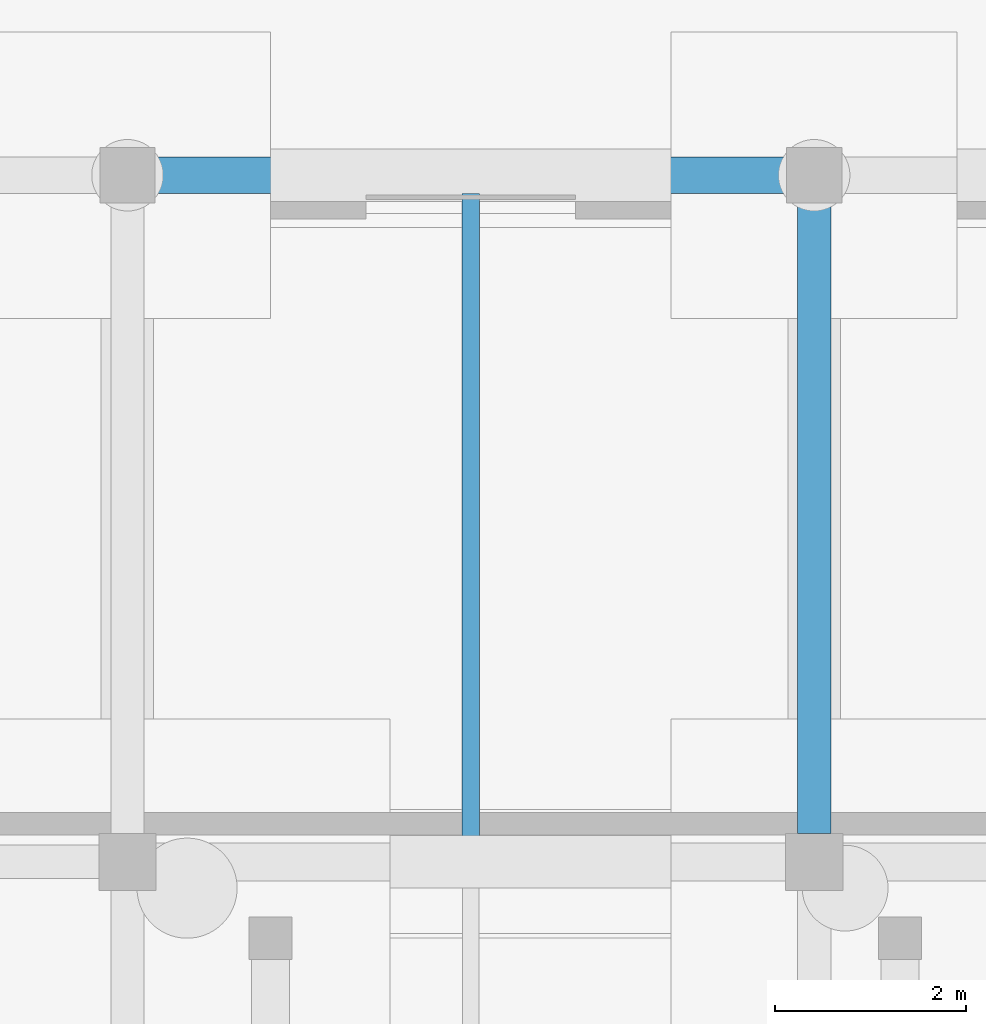
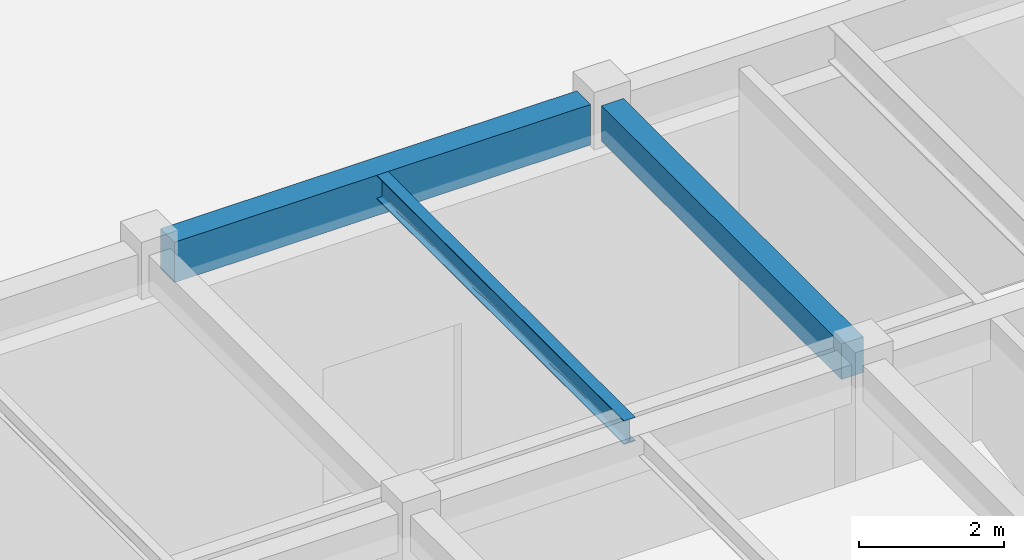
# One storey, part 31 of 91: 3 beams.
"""IFC4 building model written with IfcOpenShell, lengths in metres."""

from ifc_helpers import new_model, si_unit, direction, frame, origin, origin_2d, place, context, subcontext, project, spatial, rectangle, i_section, extrude, material, material_profile, profile_set, type_object, element, save


model = new_model("IFC4")

# Units and contexts
model_context = context("Model", 3, precision=1e-05, world=origin(), true_north=direction((0.0, 1.0)))
body_context = subcontext(model_context, "Body", "Model", "MODEL_VIEW")
ifc_project = project(units=[si_unit("LENGTHUNIT", "METRE"), si_unit("AREAUNIT", "SQUARE_METRE"), si_unit("VOLUMEUNIT", "CUBIC_METRE"), si_unit("PLANEANGLEUNIT", "RADIAN"), si_unit("MASSUNIT", "GRAM", prefix="KILO")], contexts=[model_context])

# Site, building, storey
site_placement = place(None, origin())
site = spatial("IfcSite", under=ifc_project, at=site_placement, CompositionType="ELEMENT")
building_placement = place(site_placement, origin())
building = spatial("IfcBuilding", under=site, at=building_placement, Name="Bramveld Media Centre", CompositionType="ELEMENT")
storey_placement = place(building_placement, origin())
storey = spatial("IfcBuildingStorey", under=building, at=storey_placement, Name="L00", CompositionType="ELEMENT", Elevation=0.0)

# Beams
ifc_material_1 = material(Name="Concrete C40/50", Category="concrete")
ifc_material_profile_1 = material_profile(ifc_material_1, rectangle(XDim=0.35009765625, YDim=0.60009765625, at=origin_2d()), Name="RC 350x600")
ifc_profile_set_1 = profile_set([ifc_material_profile_1], Name="Concrete C40/50")
beam_type_1 = type_object("IfcBeamType", Name="BM-INT-RC-350x600", PredefinedType="BEAM", material=ifc_profile_set_1)
beam_1_placement = place(storey_placement, frame((14.39990234375, 61.10009765625, 4.840087890625), z_axis=(0.0, 1.0, 0.0), x_axis=(-1.0, 0.0, 0.0)))
element("IfcBeam", 1, at=beam_1_placement, inside=storey, type_object=beam_type_1, Name="V3 L00 girder Y-226", PredefinedType="BEAM", context=body_context, shape_type="SweptSolid", body=[
    extrude(rectangle(XDim=0.35009765625, YDim=0.60009765625, at=origin_2d()), origin(), (0.0, 0.0, 1.0), 6.60986328125),
])
ifc_material_2 = material(Name="Steel S355J2", Category="steel")
ifc_material_profile_2 = material_profile(ifc_material_2, i_section(OverallWidth=0.179931640625, OverallDepth=0.39990234375, WebThickness=0.008544921875, FlangeThickness=0.013427734375, FilletRadius=0.02099609375, at=origin_2d()), Name="IPE 400")
ifc_profile_set_2 = profile_set([ifc_material_profile_2], Name="Steel S355J2")
beam_type_2 = type_object("IfcBeamType", Name="SBM-INT-IPE-400", PredefinedType="JOIST", material=ifc_profile_set_2)
beam_2_placement = place(storey_placement, frame((10.800048828125, 61.0, 4.93994140625), z_axis=(0.0, 1.0, 0.0), x_axis=(-1.0, 0.0, 0.0)))
element("IfcBeam", 2, at=beam_2_placement, inside=storey, type_object=beam_type_2, Name="V3 L00 secondary floor joist 244", PredefinedType="JOIST", context=body_context, shape_type="SweptSolid", body=[
    extrude(i_section(OverallWidth=0.179931640625, OverallDepth=0.39990234375, WebThickness=0.008544921875, FlangeThickness=0.013427734375, FilletRadius=0.02099609375, at=origin_2d()), origin(), (0.0, 0.0, 1.0), 6.81005859375),
])
ifc_material_3 = material(Name="Concrete C40/50", Category="concrete")
ifc_material_profile_3 = material_profile(ifc_material_3, rectangle(XDim=0.3798828125, YDim=0.679931640625, at=origin_2d()), Name="RC 380x680")
ifc_profile_set_3 = profile_set([ifc_material_profile_3], Name="Concrete C40/50")
beam_type_3 = type_object("IfcBeamType", Name="SPANDREL-EXT-RC-380x680", PredefinedType="SPANDREL", material=ifc_profile_set_3)
beam_3_placement = place(storey_placement, frame((7.489990234375, 68.0, 4.800048828125), z_axis=(1.0, 0.0, 0.0), x_axis=(0.0, 1.0, 0.0)))
element("IfcBeam", 3, at=beam_3_placement, inside=storey, type_object=beam_type_3, Name="V3 L00 girder X-212", PredefinedType="SPANDREL", context=body_context, shape_type="SweptSolid", body=[
    extrude(rectangle(XDim=0.3798828125, YDim=0.679931640625, at=origin_2d()), origin(), (0.0, 0.0, 1.0), 6.6201171875),
])

save(model, "model.ifc")
